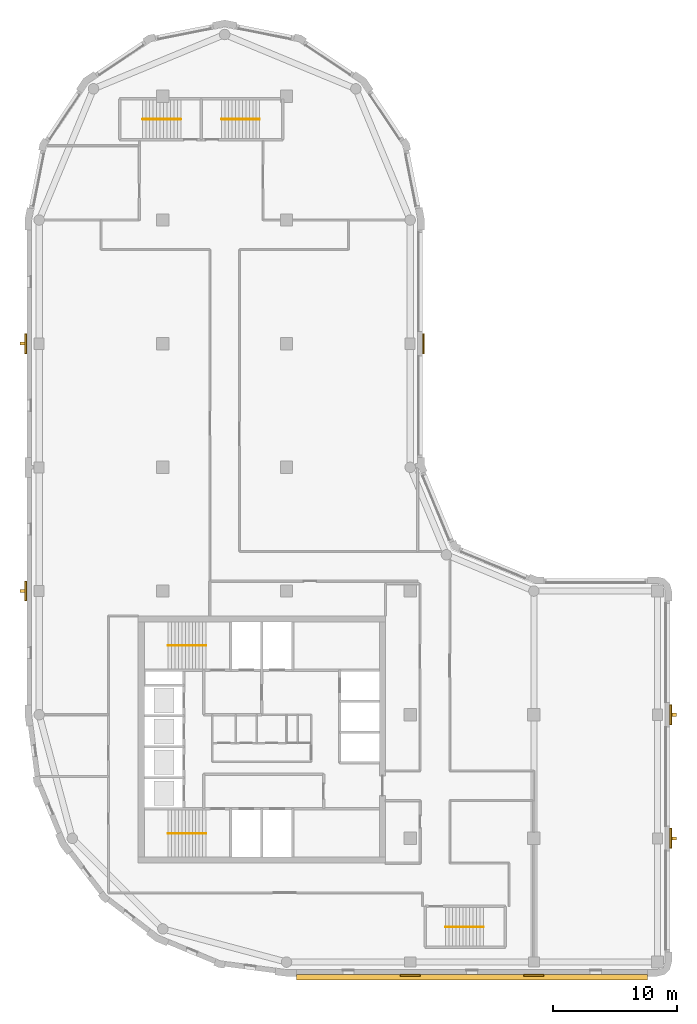
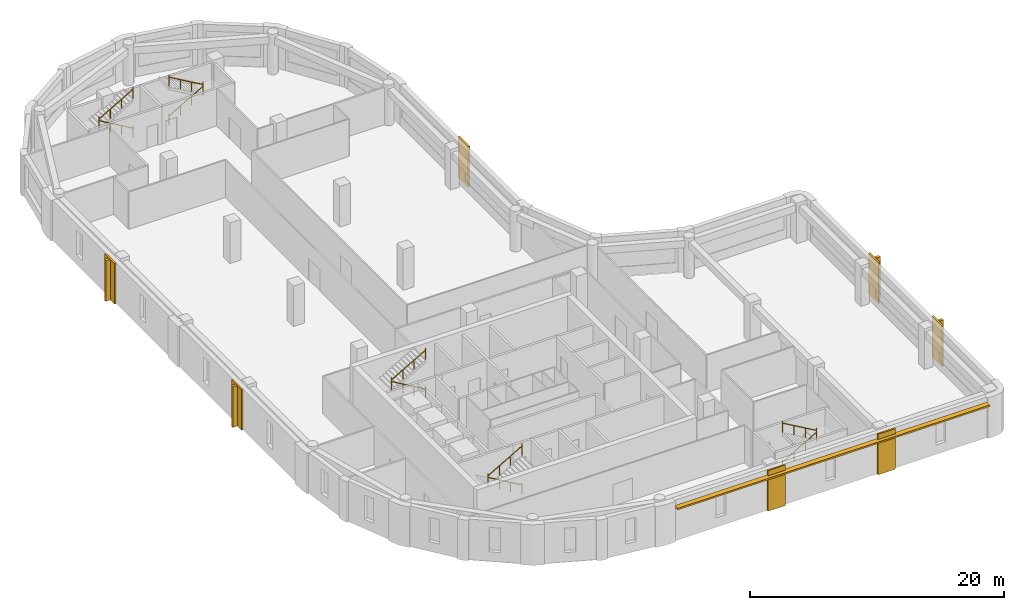
# One storey, part 7 of 8: 10 railings, 7 coverings, 5 shading devices.
"""IFC4 building model written with IfcOpenShell, lengths in metres."""

from ifc_helpers import new_model, si_unit, direction, frame, origin, origin_2d, place, context, subcontext, project, spatial, polyline, rectangle, circle, outline, extrude, material, layer, layer_set, type_object, element, save


model = new_model("IFC4")

# Units and contexts
model_context = context("Model", 3, precision=1e-05, world=origin(), true_north=direction((0.0, 1.0)))
body_context = subcontext(model_context, "Body", "Model", "MODEL_VIEW")
ifc_project = project(units=[si_unit("LENGTHUNIT", "METRE"), si_unit("AREAUNIT", "SQUARE_METRE"), si_unit("VOLUMEUNIT", "CUBIC_METRE"), si_unit("PLANEANGLEUNIT", "RADIAN"), si_unit("MASSUNIT", "GRAM", prefix="KILO")], contexts=[model_context])

# Site, building, storey
site_placement = place(None, origin())
site = spatial("IfcSite", under=ifc_project, at=site_placement, CompositionType="ELEMENT")
building_placement = place(site_placement, origin())
building = spatial("IfcBuilding", under=site, at=building_placement, Name="Qaws Garden Tower", CompositionType="ELEMENT")
storey_placement = place(building_placement, frame((0.0, 0.0, 274.800048828125)))
storey = spatial("IfcBuildingStorey", under=building, at=storey_placement, Name="L66", CompositionType="ELEMENT", Elevation=274.800048828125)

# Shading devices
ifc_material_1 = material(Name="Clay facing brick masonry", Category="masonry")
ifc_layer_1 = layer(ifc_material_1, 0.14990234375)
ifc_layer_set_1 = layer_set([ifc_layer_1], Name="Clay facing brick masonry")
shading_device_type_1 = type_object("IfcShadingDeviceType", Name="Brick sunshade band 450 x 150", PredefinedType="JALOUSIE", material=ifc_layer_set_1)
shading_device_placement = place(storey_placement, frame((0.0, 0.0, 3.25)))
element("IfcShadingDevice", 1, at=shading_device_placement, inside=storey, type_object=shading_device_type_1, Name="SUNSHADE 00", PredefinedType="JALOUSIE", context=body_context, shape_type="SweptSolid", body=[
    extrude(outline(polyline([(20.800048828125, -1.0), (20.800048828125, -1.449951171875), (49.199951171875, -1.449951171875), (49.199951171875, -1.0), (40.800048828125, -1.0), (40.800048828125, -1.14990234375), (39.199951171875, -1.14990234375), (39.199951171875, -1.0), (30.800048828125, -1.0), (30.800048828125, -1.14990234375), (29.199951171875, -1.14990234375), (29.199951171875, -1.0), (20.800048828125, -1.0)])), origin(), (0.0, 0.0, 1.0), 0.14990234375),
])
ifc_material_2 = material(Name="Clay facing brick masonry", Category="masonry")
ifc_layer_2 = layer(ifc_material_2, 0.25)
ifc_layer_set_2 = layer_set([ifc_layer_2], Name="Clay facing brick masonry")
shading_device_type_2 = type_object("IfcShadingDeviceType", Name="Brick-faced fin 250 x 400", PredefinedType="USERDEFINED", material=ifc_layer_set_2)
for number, where, z_axis, x_axis, name in (
    (2, (51.35009765625, 10.0, 0.0), (0.0, 0.0, 1.0), (0.0, 1.0, 0.0), "FIN 04"),
    (3, (51.35009765625, 20.0, 0.0), (0.0, 0.0, 1.0), (0.0, 1.0, 0.0), "FIN 05"),
    (4, (-1.35009765625, 50.0, 0.0), (0.0, 0.0, 1.0), (0.0, -1.0, 0.0), "FIN 20"),
    (5, (-1.35009765625, 30.0, 0.0), (0.0, 0.0, 1.0), (0.0, -1.0, 0.0), "FIN 22"),
):
    element("IfcShadingDevice", number, at=place(storey_placement, frame(where, z_axis=z_axis, x_axis=x_axis)), inside=storey, type_object=shading_device_type_2, Name=name, ObjectType="FIN", PredefinedType="USERDEFINED", context=body_context, shape_type="SweptSolid", body=[
        extrude(rectangle(XDim=0.25, YDim=0.39990234375, at=origin_2d()), origin(), (0.0, 0.0, 1.0), 3.89990234375),
    ])

# Coverings
ifc_material_3 = material(Name="Buff clay facing brick masonry", Category="masonry")
ifc_layer_3 = layer(ifc_material_3, 0.14990234375)
ifc_layer_set_3 = layer_set([ifc_layer_3], Name="Buff clay facing brick masonry")
covering_type = type_object("IfcCoveringType", Name="Buff brick pilaster facing 150 x 1600", PredefinedType="CLADDING", material=ifc_layer_set_3)
placement = place(storey_placement, origin())
element("IfcCovering", 6, at=placement, inside=storey, type_object=covering_type, Name="E-L66-pier-01", PredefinedType="CLADDING", context=body_context, shape_type="SweptSolid", body=[
    extrude(outline(polyline([(29.199951171875, -1.0), (30.800048828125, -1.0), (30.800048828125, -1.14990234375), (29.199951171875, -1.14990234375), (29.199951171875, -1.0)])), origin(), (0.0, 0.0, 1.0), 3.89990234375),
])
element("IfcCovering", 7, at=placement, inside=storey, type_object=covering_type, Name="E-L66-pier-02", PredefinedType="CLADDING", context=body_context, shape_type="SweptSolid", body=[
    extrude(outline(polyline([(39.199951171875, -1.0), (40.800048828125, -1.0), (40.800048828125, -1.14990234375), (39.199951171875, -1.14990234375), (39.199951171875, -1.0)])), origin(), (0.0, 0.0, 1.0), 3.89990234375),
])
element("IfcCovering", 8, at=placement, inside=storey, type_object=covering_type, Name="E-L66-pier-04", PredefinedType="CLADDING", context=body_context, shape_type="SweptSolid", body=[
    extrude(outline(polyline([(51.0, 9.199951171875), (51.0, 10.800048828125), (51.14990234375, 10.800048828125), (51.14990234375, 9.199951171875), (51.0, 9.199951171875)])), origin(), (0.0, 0.0, 1.0), 3.89990234375),
])
element("IfcCovering", 9, at=placement, inside=storey, type_object=covering_type, Name="E-L66-pier-05", PredefinedType="CLADDING", context=body_context, shape_type="SweptSolid", body=[
    extrude(outline(polyline([(51.0, 19.199951171875), (51.0, 20.800048828125), (51.14990234375, 20.800048828125), (51.14990234375, 19.199951171875), (51.0, 19.199951171875)])), origin(), (0.0, 0.0, 1.0), 3.89990234375),
])
element("IfcCovering", 10, at=placement, inside=storey, type_object=covering_type, Name="E-L66-pier-10", PredefinedType="CLADDING", context=body_context, shape_type="SweptSolid", body=[
    extrude(outline(polyline([(31.0, 49.199951171875), (31.0, 50.800048828125), (31.14990234375, 50.800048828125), (31.14990234375, 49.199951171875), (31.0, 49.199951171875)])), origin(), (0.0, 0.0, 1.0), 3.89990234375),
])
element("IfcCovering", 11, at=placement, inside=storey, type_object=covering_type, Name="E-L66-pier-20", PredefinedType="CLADDING", context=body_context, shape_type="SweptSolid", body=[
    extrude(outline(polyline([(-1.0, 50.800048828125), (-1.0, 49.199951171875), (-1.14990234375, 49.199951171875), (-1.14990234375, 50.800048828125), (-1.0, 50.800048828125)])), origin(), (0.0, 0.0, 1.0), 3.89990234375),
])
element("IfcCovering", 12, at=placement, inside=storey, type_object=covering_type, Name="E-L66-pier-22", PredefinedType="CLADDING", context=body_context, shape_type="SweptSolid", body=[
    extrude(outline(polyline([(-1.0, 30.800048828125), (-1.0, 29.199951171875), (-1.14990234375, 29.199951171875), (-1.14990234375, 30.800048828125), (-1.0, 30.800048828125)])), origin(), (0.0, 0.0, 1.0), 3.89990234375),
])

# Railings
ifc_material_4 = material(Name="Steel S355", Category="steel")
railing_type = type_object("IfcRailingType", Name="Stair handrail 900", PredefinedType="HANDRAIL", material=ifc_material_4)
railing_1_placement = place(storey_placement, frame((13.5, 10.39990234375, 0.162353515625)))
element("IfcRailing", 13, at=railing_1_placement, inside=storey, type_object=railing_type, Name="Stair 1 handrail", PredefinedType="HANDRAIL", context=body_context, shape_type="SweptSolid", body=[
    extrude(circle(Radius=0.02392578125, at=origin_2d()), frame((0.0, 0.0, 0.8759765625), z_axis=(-0.864890721111, 0.0, 0.501960198159), x_axis=(0.0, -1.0, 0.0)), (0.0, 0.0, 1.0), 3.561279296875),
    extrude(circle(Radius=0.02099609375, at=origin_2d()), origin(), (0.0, 0.0, 1.0), 1.06201171875),
    extrude(circle(Radius=0.02099609375, at=origin_2d()), frame((-1.026611328125, 0.0, 0.595947265625)), (0.0, 0.0, 1.0), 0.851806640625),
    extrude(circle(Radius=0.02099609375, at=origin_2d()), frame((-2.053466796875, 0.0, 1.191650390625)), (0.0, 0.0, 1.0), 0.851806640625),
    extrude(circle(Radius=0.02099609375, at=origin_2d()), frame((-3.080078125, 0.0, 1.78759765625)), (0.0, 0.0, 1.0), 1.06201171875),
])
railing_2_placement = place(storey_placement, frame((10.419921875, 10.39990234375, 2.112548828125)))
element("IfcRailing", 14, at=railing_2_placement, inside=storey, type_object=railing_type, Name="Stair 1 handrail", PredefinedType="HANDRAIL", context=body_context, shape_type="SweptSolid", body=[
    extrude(circle(Radius=0.02392578125, at=origin_2d()), frame((0.0, 0.0, 0.8759765625), z_axis=(0.864920483161, 0.0, 0.501908913857), x_axis=(0.0, 1.0, 0.0)), (0.0, 0.0, 1.0), 3.56103515625),
    extrude(circle(Radius=0.02099609375, at=origin_2d()), origin(), (0.0, 0.0, 1.0), 1.06201171875),
    extrude(circle(Radius=0.02099609375, at=origin_2d()), frame((1.026611328125, 0.0, 0.595703125)), (0.0, 0.0, 1.0), 0.851806640625),
    extrude(circle(Radius=0.02099609375, at=origin_2d()), frame((2.053466796875, 0.0, 1.191650390625)), (0.0, 0.0, 1.0), 0.851806640625),
    extrude(circle(Radius=0.02099609375, at=origin_2d()), frame((3.080078125, 0.0, 1.787353515625)), (0.0, 0.0, 1.0), 1.06201171875),
])
railing_3_placement = place(storey_placement, frame((13.5, 25.60009765625, 0.162353515625)))
element("IfcRailing", 15, at=railing_3_placement, inside=storey, type_object=railing_type, Name="Stair 4 handrail", PredefinedType="HANDRAIL", context=body_context, shape_type="SweptSolid", body=[
    extrude(circle(Radius=0.02392578125, at=origin_2d()), frame((0.0, 0.0, 0.8759765625), z_axis=(-0.864890721111, 0.0, 0.501960198159), x_axis=(0.0, -1.0, 0.0)), (0.0, 0.0, 1.0), 3.561279296875),
    extrude(circle(Radius=0.02099609375, at=origin_2d()), origin(), (0.0, 0.0, 1.0), 1.06201171875),
    extrude(circle(Radius=0.02099609375, at=origin_2d()), frame((-1.026611328125, 0.0, 0.595947265625)), (0.0, 0.0, 1.0), 0.851806640625),
    extrude(circle(Radius=0.02099609375, at=origin_2d()), frame((-2.053466796875, 0.0, 1.191650390625)), (0.0, 0.0, 1.0), 0.851806640625),
    extrude(circle(Radius=0.02099609375, at=origin_2d()), frame((-3.080078125, 0.0, 1.78759765625)), (0.0, 0.0, 1.0), 1.06201171875),
])
railing_4_placement = place(storey_placement, frame((10.419921875, 25.60009765625, 2.112548828125)))
element("IfcRailing", 16, at=railing_4_placement, inside=storey, type_object=railing_type, Name="Stair 4 handrail", PredefinedType="HANDRAIL", context=body_context, shape_type="SweptSolid", body=[
    extrude(circle(Radius=0.02392578125, at=origin_2d()), frame((0.0, 0.0, 0.8759765625), z_axis=(0.864920483161, 0.0, 0.501908913857), x_axis=(0.0, 1.0, 0.0)), (0.0, 0.0, 1.0), 3.56103515625),
    extrude(circle(Radius=0.02099609375, at=origin_2d()), origin(), (0.0, 0.0, 1.0), 1.06201171875),
    extrude(circle(Radius=0.02099609375, at=origin_2d()), frame((1.026611328125, 0.0, 0.595703125)), (0.0, 0.0, 1.0), 0.851806640625),
    extrude(circle(Radius=0.02099609375, at=origin_2d()), frame((2.053466796875, 0.0, 1.191650390625)), (0.0, 0.0, 1.0), 0.851806640625),
    extrude(circle(Radius=0.02099609375, at=origin_2d()), frame((3.080078125, 0.0, 1.787353515625)), (0.0, 0.0, 1.0), 1.06201171875),
])
railing_5_placement = place(storey_placement, frame((32.85009765625, 2.85009765625, 0.162353515625)))
element("IfcRailing", 17, at=railing_5_placement, inside=storey, type_object=railing_type, Name="Stair 5 handrail", PredefinedType="HANDRAIL", context=body_context, shape_type="SweptSolid", body=[
    extrude(circle(Radius=0.02392578125, at=origin_2d()), frame((0.0, 0.0, 0.8759765625), z_axis=(0.864873446163, 0.0, 0.501989962173), x_axis=(0.0, 1.0, 0.0)), (0.0, 0.0, 1.0), 3.56103515625),
    extrude(circle(Radius=0.02099609375, at=origin_2d()), origin(), (0.0, 0.0, 1.0), 1.06201171875),
    extrude(circle(Radius=0.02099609375, at=origin_2d()), frame((1.026611328125, 0.0, 0.595947265625)), (0.0, 0.0, 1.0), 0.851806640625),
    extrude(circle(Radius=0.02099609375, at=origin_2d()), frame((2.05322265625, 0.0, 1.191650390625)), (0.0, 0.0, 1.0), 0.851806640625),
    extrude(circle(Radius=0.02099609375, at=origin_2d()), frame((3.079833984375, 0.0, 1.78759765625)), (0.0, 0.0, 1.0), 1.06201171875),
])
railing_6_placement = place(storey_placement, frame((35.929931640625, 2.85009765625, 2.112548828125)))
element("IfcRailing", 18, at=railing_6_placement, inside=storey, type_object=railing_type, Name="Stair 5 handrail", PredefinedType="HANDRAIL", context=body_context, shape_type="SweptSolid", body=[
    extrude(circle(Radius=0.02392578125, at=origin_2d()), frame((0.0, 0.0, 0.8759765625), z_axis=(-0.864903211148, 0.0, 0.501938676878), x_axis=(0.0, -1.0, 0.0)), (0.0, 0.0, 1.0), 3.560791015625),
    extrude(circle(Radius=0.02099609375, at=origin_2d()), origin(), (0.0, 0.0, 1.0), 1.06201171875),
    extrude(circle(Radius=0.02099609375, at=origin_2d()), frame((-1.026611328125, 0.0, 0.595703125)), (0.0, 0.0, 1.0), 0.851806640625),
    extrude(circle(Radius=0.02099609375, at=origin_2d()), frame((-2.05322265625, 0.0, 1.191650390625)), (0.0, 0.0, 1.0), 0.851806640625),
    extrude(circle(Radius=0.02099609375, at=origin_2d()), frame((-3.079833984375, 0.0, 1.787353515625)), (0.0, 0.0, 1.0), 1.06201171875),
])
railing_7_placement = place(storey_placement, frame((11.449951171875, 68.14990234375, 0.162353515625)))
element("IfcRailing", 19, at=railing_7_placement, inside=storey, type_object=railing_type, Name="Stair 6 handrail", PredefinedType="HANDRAIL", context=body_context, shape_type="SweptSolid", body=[
    extrude(circle(Radius=0.02392578125, at=origin_2d()), frame((0.0, 0.0, 0.8759765625), z_axis=(-0.864873446163, 0.0, 0.501989962173), x_axis=(0.0, -1.0, 0.0)), (0.0, 0.0, 1.0), 3.56103515625),
    extrude(circle(Radius=0.02099609375, at=origin_2d()), origin(), (0.0, 0.0, 1.0), 1.06201171875),
    extrude(circle(Radius=0.02099609375, at=origin_2d()), frame((-1.026611328125, 0.0, 0.595947265625)), (0.0, 0.0, 1.0), 0.851806640625),
    extrude(circle(Radius=0.02099609375, at=origin_2d()), frame((-2.05322265625, 0.0, 1.191650390625)), (0.0, 0.0, 1.0), 0.851806640625),
    extrude(circle(Radius=0.02099609375, at=origin_2d()), frame((-3.079833984375, 0.0, 1.78759765625)), (0.0, 0.0, 1.0), 1.06201171875),
])
railing_8_placement = place(storey_placement, frame((8.3701171875, 68.14990234375, 2.112548828125)))
element("IfcRailing", 20, at=railing_8_placement, inside=storey, type_object=railing_type, Name="Stair 6 handrail", PredefinedType="HANDRAIL", context=body_context, shape_type="SweptSolid", body=[
    extrude(circle(Radius=0.02392578125, at=origin_2d()), frame((0.0, 0.0, 0.8759765625), z_axis=(0.864903211148, 0.0, 0.501938676878), x_axis=(0.0, 1.0, 0.0)), (0.0, 0.0, 1.0), 3.560791015625),
    extrude(circle(Radius=0.02099609375, at=origin_2d()), origin(), (0.0, 0.0, 1.0), 1.06201171875),
    extrude(circle(Radius=0.02099609375, at=origin_2d()), frame((1.026611328125, 0.0, 0.595703125)), (0.0, 0.0, 1.0), 0.851806640625),
    extrude(circle(Radius=0.02099609375, at=origin_2d()), frame((2.05322265625, 0.0, 1.191650390625)), (0.0, 0.0, 1.0), 0.851806640625),
    extrude(circle(Radius=0.02099609375, at=origin_2d()), frame((3.079833984375, 0.0, 1.787353515625)), (0.0, 0.0, 1.0), 1.06201171875),
])
railing_9_placement = place(storey_placement, frame((14.75, 68.14990234375, 0.162353515625)))
element("IfcRailing", 21, at=railing_9_placement, inside=storey, type_object=railing_type, Name="Stair 7 handrail", PredefinedType="HANDRAIL", context=body_context, shape_type="SweptSolid", body=[
    extrude(circle(Radius=0.02392578125, at=origin_2d()), frame((0.0, 0.0, 0.8759765625), z_axis=(0.864890721111, 0.0, 0.501960198159), x_axis=(0.0, 1.0, 0.0)), (0.0, 0.0, 1.0), 3.561279296875),
    extrude(circle(Radius=0.02099609375, at=origin_2d()), origin(), (0.0, 0.0, 1.0), 1.06201171875),
    extrude(circle(Radius=0.02099609375, at=origin_2d()), frame((1.026611328125, 0.0, 0.595947265625)), (0.0, 0.0, 1.0), 0.851806640625),
    extrude(circle(Radius=0.02099609375, at=origin_2d()), frame((2.053466796875, 0.0, 1.191650390625)), (0.0, 0.0, 1.0), 0.851806640625),
    extrude(circle(Radius=0.02099609375, at=origin_2d()), frame((3.080078125, 0.0, 1.78759765625)), (0.0, 0.0, 1.0), 1.06201171875),
])
railing_10_placement = place(storey_placement, frame((17.830078125, 68.14990234375, 2.112548828125)))
element("IfcRailing", 22, at=railing_10_placement, inside=storey, type_object=railing_type, Name="Stair 7 handrail", PredefinedType="HANDRAIL", context=body_context, shape_type="SweptSolid", body=[
    extrude(circle(Radius=0.02392578125, at=origin_2d()), frame((0.0, 0.0, 0.8759765625), z_axis=(-0.864920483161, 0.0, 0.501908913857), x_axis=(0.0, -1.0, 0.0)), (0.0, 0.0, 1.0), 3.56103515625),
    extrude(circle(Radius=0.02099609375, at=origin_2d()), origin(), (0.0, 0.0, 1.0), 1.06201171875),
    extrude(circle(Radius=0.02099609375, at=origin_2d()), frame((-1.026611328125, 0.0, 0.595703125)), (0.0, 0.0, 1.0), 0.851806640625),
    extrude(circle(Radius=0.02099609375, at=origin_2d()), frame((-2.053466796875, 0.0, 1.191650390625)), (0.0, 0.0, 1.0), 0.851806640625),
    extrude(circle(Radius=0.02099609375, at=origin_2d()), frame((-3.080078125, 0.0, 1.787353515625)), (0.0, 0.0, 1.0), 1.06201171875),
])

save(model, "model.ifc")
